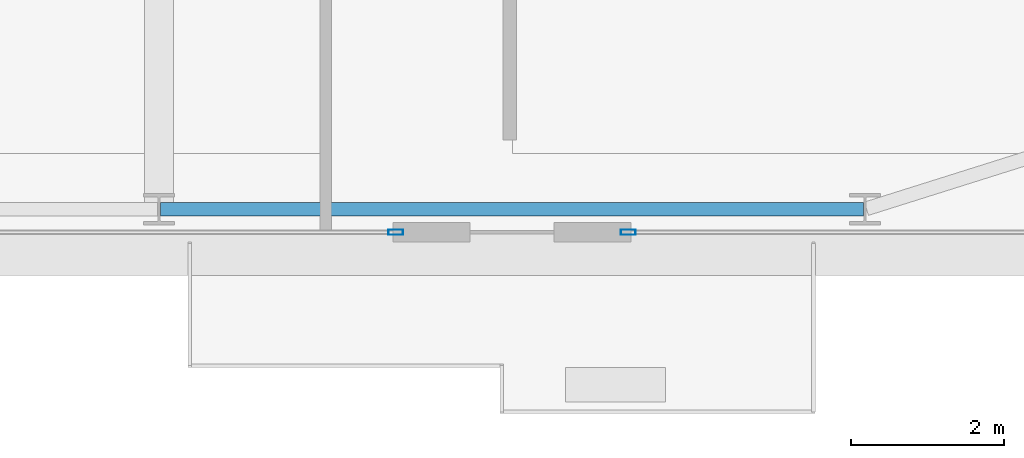
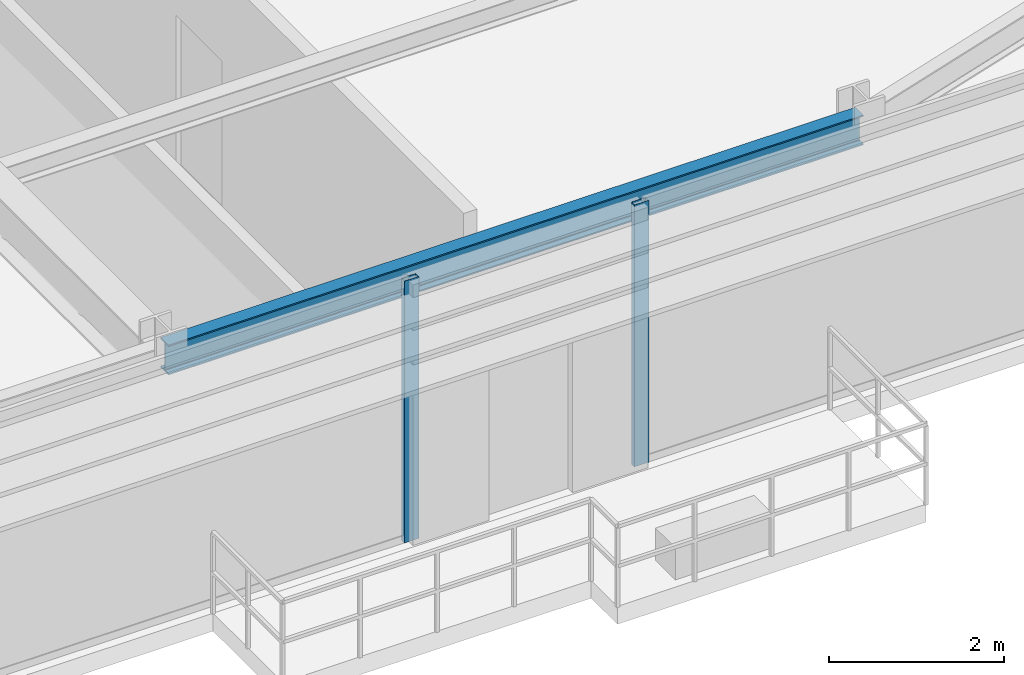
# One storey, part 12 of 31: 2 members, 1 beam, 2 elements without a shape of their own.
"""IFC4 building model written with IfcOpenShell, lengths in metres."""

from ifc_helpers import new_model, si_unit, direction, frame, origin, origin_2d, place, context, subcontext, project, spatial, hollow_rectangle, i_section, extrude, source, transform, mapped, material, layer, layer_set, material_profile, profile_set, type_object, type_shapes, element, aggregate, save


model = new_model("IFC4")

# Units and contexts
model_context = context("Model", 3, precision=1e-05, world=origin(), true_north=direction((0.0, 1.0)))
body_context = subcontext(model_context, "Body", "Model", "MODEL_VIEW")
ifc_project = project(units=[si_unit("LENGTHUNIT", "METRE"), si_unit("AREAUNIT", "SQUARE_METRE"), si_unit("VOLUMEUNIT", "CUBIC_METRE"), si_unit("PLANEANGLEUNIT", "RADIAN"), si_unit("MASSUNIT", "GRAM", prefix="KILO")], contexts=[model_context])

# Site, building, storey
site_placement = place(None, origin())
site = spatial("IfcSite", under=ifc_project, at=site_placement, CompositionType="ELEMENT")
building_placement = place(site_placement, origin())
building = spatial("IfcBuilding", under=site, at=building_placement, Name="Varnel Quay Broadcast Tower", CompositionType="ELEMENT")
storey_placement = place(building_placement, frame((0.0, 0.0, 51.0)))
storey = spatial("IfcBuildingStorey", under=building, at=storey_placement, Name="L11", CompositionType="ELEMENT", Elevation=51.0)

# Beam
ifc_material_1 = material(Name="Structural Steel CSA G40.21 350W", Category="steel")
ifc_material_profile_1 = material_profile(ifc_material_1, i_section(OverallWidth=0.180908203125, OverallDepth=0.4169921875, WebThickness=0.010986328125, FlangeThickness=0.018310546875, FilletRadius=0.011962890625, at=origin_2d()), Name="W410X85")
ifc_profile_set_1 = profile_set([ifc_material_profile_1], Name="Structural Steel CSA G40.21 350W")
beam_type = type_object("IfcBeamType", Name="Beam_W410X85", PredefinedType="SPANDREL", material=ifc_profile_set_1)
shared_shape_1 = source(origin(), body_context, "Body", "SweptSolid", [
    extrude(i_section(OverallWidth=0.180908203125, OverallDepth=0.4169921875, WebThickness=0.010986328125, FlangeThickness=0.018310546875, FilletRadius=0.011962890625, at=origin_2d()), origin(), (0.0, 0.0, 1.0), 9.159912109375),
])
type_shapes(beam_type, [shared_shape_1])
beam_placement = place(storey_placement, frame((43.219970703125, 1.64990234375, 3.44140625), z_axis=(1.0, 0.0, 0.0), x_axis=(0.0, 1.0, 0.0)))
element("IfcBeam", 1, at=beam_placement, inside=storey, type_object=beam_type, Name="L11 South Spandrel TC-S4-TC-S5", PredefinedType="SPANDREL", context=body_context, shape_type="MappedRepresentation", body=[
    mapped(shared_shape_1, transform((0.0, 0.0, 0.0), x_axis=(1.0, 0.0, 0.0), y_axis=(0.0, 1.0, 0.0), z_axis=(0.0, 0.0, 1.0), scale=1.0)),
])

# Curtain wall, member
ifc_material_2 = material(Name="Anodised Bronze Aluminium 6063-T6", Category="aluminium")
ifc_layer = layer(ifc_material_2, 0.18994140625, Name="Anodised Bronze Aluminium 6063-T6")
ifc_layer_set = layer_set([ifc_layer], Name="Anodised Bronze Aluminium 6063-T6")
curtain_wall_type = type_object("IfcCurtainWallType", Name="CW_LowerTower", PredefinedType="NOTDEFINED", material=ifc_layer_set)
curtain_wall_1_placement = place(storey_placement, origin())
curtain_wall_1 = element("IfcCurtainWall", 2, at=curtain_wall_1_placement, inside=storey, type_object=curtain_wall_type, Name="L11 South Unitised Curtain Wall 2", PredefinedType="NOTDEFINED")
ifc_material_profile_2 = material_profile(ifc_material_2, hollow_rectangle(XDim=0.070068359375, YDim=0.18994140625, WallThickness=0.00390625, at=origin_2d()), Name="ALU70X190X4")
ifc_profile_set_2 = profile_set([ifc_material_profile_2], Name="Anodised Bronze Aluminium 6063-T6")
member_type = type_object("IfcMemberType", Name="Mull_CWS-02", PredefinedType="MULLION", material=ifc_profile_set_2)
shared_shape_2 = source(origin(), body_context, "Body", "SweptSolid", [
    extrude(hollow_rectangle(XDim=0.070068359375, YDim=0.18994140625, WallThickness=0.00390625, at=origin_2d()), origin(), (0.0, 0.0, 1.0), 3.64990234375),
])
type_shapes(member_type, [shared_shape_2])
member_1_placement = place(storey_placement, frame((46.284912109375, 1.35009765625, 0.0), z_axis=(0.0, 0.0, 1.0), x_axis=(0.0, 1.0, 0.0)))
member_1 = element("IfcMember", 3, at=member_1_placement, type_object=member_type, Name="CWS-02 mullion 3", PredefinedType="MULLION", context=body_context, shape_type="MappedRepresentation", body=[
    mapped(shared_shape_2, transform((0.0, 0.0, 0.0), x_axis=(1.0, 0.0, 0.0), y_axis=(0.0, 1.0, 0.0), z_axis=(0.0, 0.0, 1.0), scale=1.0)),
])
aggregate(curtain_wall_1, [member_1])

curtain_wall_2_placement = place(storey_placement, origin())
curtain_wall_2 = element("IfcCurtainWall", 4, at=curtain_wall_2_placement, inside=storey, type_object=curtain_wall_type, Name="L11 South Unitised Curtain Wall 3", PredefinedType="NOTDEFINED")
member_2_placement = place(storey_placement, frame((49.31494140625, 1.35009765625, 0.0), z_axis=(0.0, 0.0, 1.0), x_axis=(0.0, 1.0, 0.0)))
member_2 = element("IfcMember", 5, at=member_2_placement, type_object=member_type, Name="CWS-02 mullion 1", PredefinedType="MULLION", context=body_context, shape_type="MappedRepresentation", body=[
    mapped(shared_shape_2, transform((0.0, 0.0, 0.0), x_axis=(1.0, 0.0, 0.0), y_axis=(0.0, 1.0, 0.0), z_axis=(0.0, 0.0, 1.0), scale=1.0)),
])
aggregate(curtain_wall_2, [member_2])

save(model, "model.ifc")
